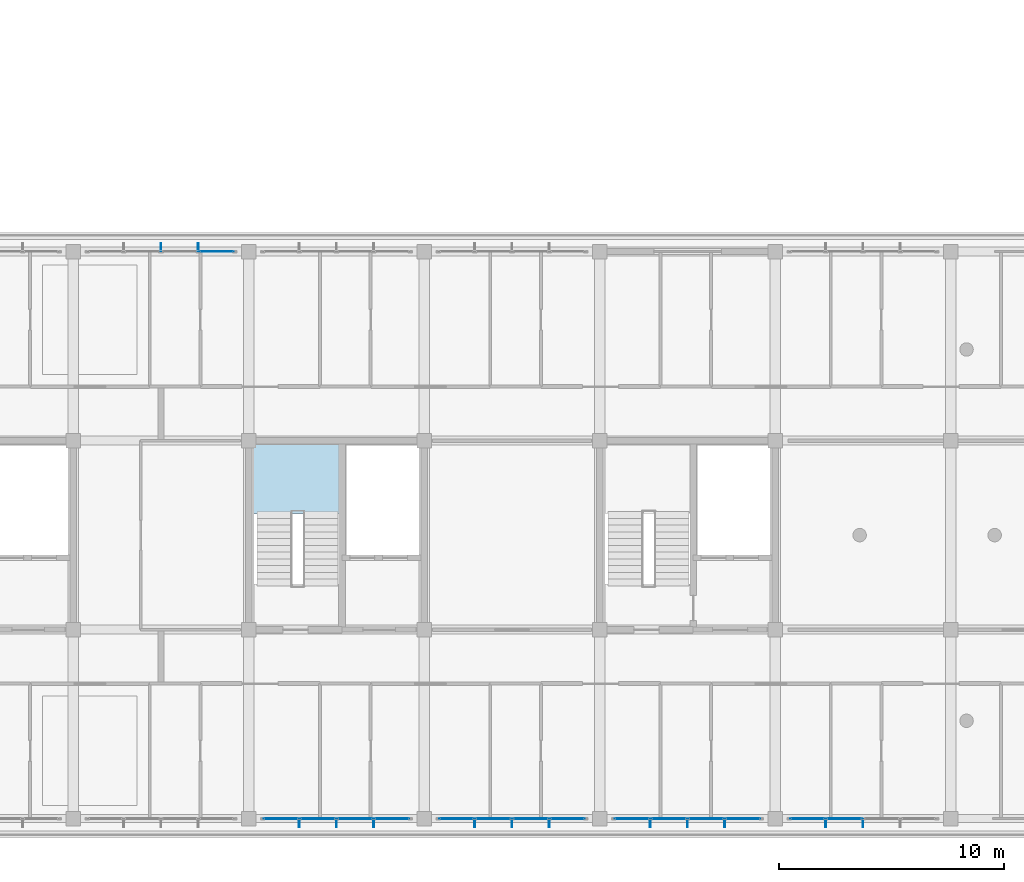
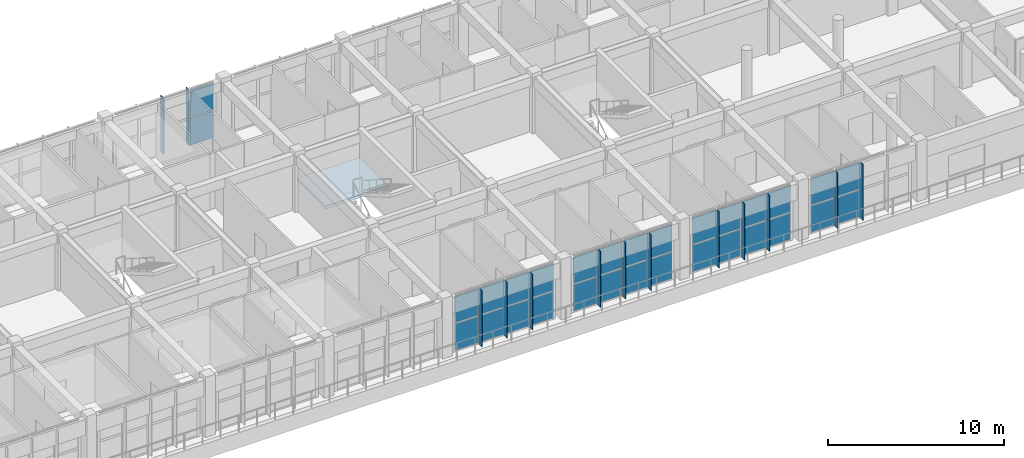
# One storey, part 46 of 63: 43 plates, 1 slab, 6 elements without a shape of their own.
"""IFC4 building model written with IfcOpenShell, lengths in metres."""

from ifc_helpers import new_model, si_unit, direction, frame, origin, origin_2d, place, context, subcontext, project, spatial, polyline, rectangle, outline, extrude, material, layer, layer_set, type_object, element, aggregate, save


model = new_model("IFC4")

# Units and contexts
model_context = context("Model", 3, precision=1e-05, world=origin(), true_north=direction((0.0, 1.0)))
body_context = subcontext(model_context, "Body", "Model", "MODEL_VIEW")
ifc_project = project(units=[si_unit("LENGTHUNIT", "METRE"), si_unit("AREAUNIT", "SQUARE_METRE"), si_unit("VOLUMEUNIT", "CUBIC_METRE"), si_unit("PLANEANGLEUNIT", "RADIAN"), si_unit("MASSUNIT", "GRAM", prefix="KILO")], contexts=[model_context])

# Site, building, storey
site_placement = place(None, origin())
site = spatial("IfcSite", under=ifc_project, at=site_placement, CompositionType="ELEMENT")
building_placement = place(site_placement, origin())
building = spatial("IfcBuilding", under=site, at=building_placement, Name="Zizhar Promenade General Hospital", CompositionType="ELEMENT")
storey_placement = place(building_placement, frame((0.0, 0.0, 18.0)))
storey = spatial("IfcBuildingStorey", under=building, at=storey_placement, Name="L04", CompositionType="ELEMENT", Elevation=18.0)

# Curtain wall, plates
ifc_material_1 = material(Name="Anodised aluminium 6063-T6 and low-E glass", Category="aluminium")
ifc_layer_1 = layer(ifc_material_1, 0.159912109375)
ifc_layer_set_1 = layer_set([ifc_layer_1], Name="Anodised aluminium 6063-T6 and low-E glass")
curtain_wall_type = type_object("IfcCurtainWallType", Name="CW-WARD-RIB", PredefinedType="NOTDEFINED", material=ifc_layer_set_1)
curtain_wall_1_placement = place(storey_placement, origin())
curtain_wall_1 = element("IfcCurtainWall", 1, at=curtain_wall_1_placement, inside=storey, type_object=curtain_wall_type, Name="Ward Ribbon Curtain Wall L04-8-6", PredefinedType="NOTDEFINED")
ifc_material_2 = material(Name="Low-E solar-control glass", Category="glass")
ifc_layer_2 = layer(ifc_material_2, 0.031982421875)
ifc_layer_set_2 = layer_set([ifc_layer_2], Name="Low-E solar-control glass")
plate_type_1 = type_object("IfcPlateType", Name="CWP-GLZ-32", PredefinedType="CURTAIN_PANEL", material=ifc_layer_set_2)
plate_1_placement = place(storey_placement, frame((76.570068359375, 25.199951171875, 0.06005859375), z_axis=(0.0, 0.0, 1.0), x_axis=(1.0, 0.0, 0.0)))
plate_1 = element("IfcPlate", 2, at=plate_1_placement, type_object=plate_type_1, Name="CW-13 panel 4.1", PredefinedType="CURTAIN_PANEL", context=body_context, shape_type="SweptSolid", body=[
    extrude(rectangle(XDim=1.5400390625, YDim=0.031982421875, at=origin_2d()), origin(), (0.0, 0.0, 1.0), 1.860107421875),
])
plate_2_placement = place(storey_placement, frame((76.570068359375, 25.199951171875, 1.97998046875), z_axis=(0.0, 0.0, 1.0), x_axis=(1.0, 0.0, 0.0)))
plate_2 = element("IfcPlate", 3, at=plate_2_placement, type_object=plate_type_1, Name="CW-13 panel 4.2", PredefinedType="CURTAIN_PANEL", context=body_context, shape_type="SweptSolid", body=[
    extrude(rectangle(XDim=1.5400390625, YDim=0.031982421875, at=origin_2d()), origin(), (0.0, 0.0, 1.0), 1.860107421875),
])
aggregate(curtain_wall_1, [plate_1, plate_2])

curtain_wall_2_placement = place(storey_placement, origin())
curtain_wall_2 = element("IfcCurtainWall", 4, at=curtain_wall_2_placement, inside=storey, type_object=curtain_wall_type, Name="Ward Ribbon Curtain Wall L04-17-1", PredefinedType="NOTDEFINED")
plate_3_placement = place(storey_placement, frame((104.469970703125, 0.0, 0.06005859375), z_axis=(0.0, 0.0, 1.0), x_axis=(-1.0, 0.0, 0.0)))
plate_3 = element("IfcPlate", 5, at=plate_3_placement, type_object=plate_type_1, Name="CW-13 panel 3.1", PredefinedType="CURTAIN_PANEL", context=body_context, shape_type="SweptSolid", body=[
    extrude(rectangle(XDim=1.580078125, YDim=0.031982421875, at=origin_2d()), origin(), (0.0, 0.0, 1.0), 1.860107421875),
])
plate_4_placement = place(storey_placement, frame((104.469970703125, 0.0, 1.97998046875), z_axis=(0.0, 0.0, 1.0), x_axis=(-1.0, 0.0, 0.0)))
plate_4 = element("IfcPlate", 6, at=plate_4_placement, type_object=plate_type_1, Name="CW-13 panel 3.2", PredefinedType="CURTAIN_PANEL", context=body_context, shape_type="SweptSolid", body=[
    extrude(rectangle(XDim=1.580078125, YDim=0.031982421875, at=origin_2d()), origin(), (0.0, 0.0, 1.0), 1.860107421875),
])
plate_5_placement = place(storey_placement, frame((102.830078125, 0.0, 0.06005859375), z_axis=(0.0, 0.0, 1.0), x_axis=(-1.0, 0.0, 0.0)))
plate_5 = element("IfcPlate", 7, at=plate_5_placement, type_object=plate_type_1, Name="CW-13 panel 4.1", PredefinedType="CURTAIN_PANEL", context=body_context, shape_type="SweptSolid", body=[
    extrude(rectangle(XDim=1.5400390625, YDim=0.031982421875, at=origin_2d()), origin(), (0.0, 0.0, 1.0), 1.860107421875),
])
plate_6_placement = place(storey_placement, frame((102.830078125, 0.0, 1.97998046875), z_axis=(0.0, 0.0, 1.0), x_axis=(-1.0, 0.0, 0.0)))
plate_6 = element("IfcPlate", 8, at=plate_6_placement, type_object=plate_type_1, Name="CW-13 panel 4.2", PredefinedType="CURTAIN_PANEL", context=body_context, shape_type="SweptSolid", body=[
    extrude(rectangle(XDim=1.5400390625, YDim=0.031982421875, at=origin_2d()), origin(), (0.0, 0.0, 1.0), 1.860107421875),
])
aggregate(curtain_wall_2, [plate_3, plate_4, plate_5, plate_6])

curtain_wall_3_placement = place(storey_placement, origin())
curtain_wall_3 = element("IfcCurtainWall", 9, at=curtain_wall_3_placement, inside=storey, type_object=curtain_wall_type, Name="Ward Ribbon Curtain Wall L04-17-2", PredefinedType="NOTDEFINED")
plate_7_placement = place(storey_placement, frame((99.969970703125, 0.0, 0.06005859375), z_axis=(0.0, 0.0, 1.0), x_axis=(-1.0, 0.0, 0.0)))
plate_7 = element("IfcPlate", 10, at=plate_7_placement, type_object=plate_type_1, Name="CW-13 panel 1.1", PredefinedType="CURTAIN_PANEL", context=body_context, shape_type="SweptSolid", body=[
    extrude(rectangle(XDim=1.5400390625, YDim=0.031982421875, at=origin_2d()), origin(), (0.0, 0.0, 1.0), 1.860107421875),
])
plate_8_placement = place(storey_placement, frame((99.969970703125, 0.0, 1.97998046875), z_axis=(0.0, 0.0, 1.0), x_axis=(-1.0, 0.0, 0.0)))
plate_8 = element("IfcPlate", 11, at=plate_8_placement, type_object=plate_type_1, Name="CW-13 panel 1.2", PredefinedType="CURTAIN_PANEL", context=body_context, shape_type="SweptSolid", body=[
    extrude(rectangle(XDim=1.5400390625, YDim=0.031982421875, at=origin_2d()), origin(), (0.0, 0.0, 1.0), 1.860107421875),
])
plate_9_placement = place(storey_placement, frame((98.330078125, 0.0, 0.06005859375), z_axis=(0.0, 0.0, 1.0), x_axis=(-1.0, 0.0, 0.0)))
plate_9 = element("IfcPlate", 12, at=plate_9_placement, type_object=plate_type_1, Name="CW-13 panel 2.1", PredefinedType="CURTAIN_PANEL", context=body_context, shape_type="SweptSolid", body=[
    extrude(rectangle(XDim=1.580078125, YDim=0.031982421875, at=origin_2d()), origin(), (0.0, 0.0, 1.0), 1.860107421875),
])
plate_10_placement = place(storey_placement, frame((98.330078125, 0.0, 1.97998046875), z_axis=(0.0, 0.0, 1.0), x_axis=(-1.0, 0.0, 0.0)))
plate_10 = element("IfcPlate", 13, at=plate_10_placement, type_object=plate_type_1, Name="CW-13 panel 2.2", PredefinedType="CURTAIN_PANEL", context=body_context, shape_type="SweptSolid", body=[
    extrude(rectangle(XDim=1.580078125, YDim=0.031982421875, at=origin_2d()), origin(), (0.0, 0.0, 1.0), 1.860107421875),
])
plate_11_placement = place(storey_placement, frame((96.669921875, 0.0, 0.06005859375), z_axis=(0.0, 0.0, 1.0), x_axis=(-1.0, 0.0, 0.0)))
plate_11 = element("IfcPlate", 14, at=plate_11_placement, type_object=plate_type_1, Name="CW-13 panel 3.1", PredefinedType="CURTAIN_PANEL", context=body_context, shape_type="SweptSolid", body=[
    extrude(rectangle(XDim=1.580078125, YDim=0.031982421875, at=origin_2d()), origin(), (0.0, 0.0, 1.0), 1.860107421875),
])
plate_12_placement = place(storey_placement, frame((96.669921875, 0.0, 1.97998046875), z_axis=(0.0, 0.0, 1.0), x_axis=(-1.0, 0.0, 0.0)))
plate_12 = element("IfcPlate", 15, at=plate_12_placement, type_object=plate_type_1, Name="CW-13 panel 3.2", PredefinedType="CURTAIN_PANEL", context=body_context, shape_type="SweptSolid", body=[
    extrude(rectangle(XDim=1.580078125, YDim=0.031982421875, at=origin_2d()), origin(), (0.0, 0.0, 1.0), 1.860107421875),
])
plate_13_placement = place(storey_placement, frame((95.030029296875, 0.0, 0.06005859375), z_axis=(0.0, 0.0, 1.0), x_axis=(-1.0, 0.0, 0.0)))
plate_13 = element("IfcPlate", 16, at=plate_13_placement, type_object=plate_type_1, Name="CW-13 panel 4.1", PredefinedType="CURTAIN_PANEL", context=body_context, shape_type="SweptSolid", body=[
    extrude(rectangle(XDim=1.5400390625, YDim=0.031982421875, at=origin_2d()), origin(), (0.0, 0.0, 1.0), 1.860107421875),
])
plate_14_placement = place(storey_placement, frame((95.030029296875, 0.0, 1.97998046875), z_axis=(0.0, 0.0, 1.0), x_axis=(-1.0, 0.0, 0.0)))
plate_14 = element("IfcPlate", 17, at=plate_14_placement, type_object=plate_type_1, Name="CW-13 panel 4.2", PredefinedType="CURTAIN_PANEL", context=body_context, shape_type="SweptSolid", body=[
    extrude(rectangle(XDim=1.5400390625, YDim=0.031982421875, at=origin_2d()), origin(), (0.0, 0.0, 1.0), 1.860107421875),
])
aggregate(curtain_wall_3, [plate_7, plate_8, plate_9, plate_10, plate_11, plate_12, plate_13, plate_14])

curtain_wall_4_placement = place(storey_placement, origin())
curtain_wall_4 = element("IfcCurtainWall", 18, at=curtain_wall_4_placement, inside=storey, type_object=curtain_wall_type, Name="Ward Ribbon Curtain Wall L04-17-3", PredefinedType="NOTDEFINED")
plate_15_placement = place(storey_placement, frame((92.169921875, 0.0, 0.06005859375), z_axis=(0.0, 0.0, 1.0), x_axis=(-1.0, 0.0, 0.0)))
plate_15 = element("IfcPlate", 19, at=plate_15_placement, type_object=plate_type_1, Name="CW-13 panel 1.1", PredefinedType="CURTAIN_PANEL", context=body_context, shape_type="SweptSolid", body=[
    extrude(rectangle(XDim=1.5400390625, YDim=0.031982421875, at=origin_2d()), origin(), (0.0, 0.0, 1.0), 1.860107421875),
])
plate_16_placement = place(storey_placement, frame((92.169921875, 0.0, 1.97998046875), z_axis=(0.0, 0.0, 1.0), x_axis=(-1.0, 0.0, 0.0)))
plate_16 = element("IfcPlate", 20, at=plate_16_placement, type_object=plate_type_1, Name="CW-13 panel 1.2", PredefinedType="CURTAIN_PANEL", context=body_context, shape_type="SweptSolid", body=[
    extrude(rectangle(XDim=1.5400390625, YDim=0.031982421875, at=origin_2d()), origin(), (0.0, 0.0, 1.0), 1.860107421875),
])
plate_17_placement = place(storey_placement, frame((90.530029296875, 0.0, 0.06005859375), z_axis=(0.0, 0.0, 1.0), x_axis=(-1.0, 0.0, 0.0)))
plate_17 = element("IfcPlate", 21, at=plate_17_placement, type_object=plate_type_1, Name="CW-13 panel 2.1", PredefinedType="CURTAIN_PANEL", context=body_context, shape_type="SweptSolid", body=[
    extrude(rectangle(XDim=1.580078125, YDim=0.031982421875, at=origin_2d()), origin(), (0.0, 0.0, 1.0), 1.860107421875),
])
plate_18_placement = place(storey_placement, frame((90.530029296875, 0.0, 1.97998046875), z_axis=(0.0, 0.0, 1.0), x_axis=(-1.0, 0.0, 0.0)))
plate_18 = element("IfcPlate", 22, at=plate_18_placement, type_object=plate_type_1, Name="CW-13 panel 2.2", PredefinedType="CURTAIN_PANEL", context=body_context, shape_type="SweptSolid", body=[
    extrude(rectangle(XDim=1.580078125, YDim=0.031982421875, at=origin_2d()), origin(), (0.0, 0.0, 1.0), 1.860107421875),
])
plate_19_placement = place(storey_placement, frame((88.8701171875, 0.0, 0.06005859375), z_axis=(0.0, 0.0, 1.0), x_axis=(-1.0, 0.0, 0.0)))
plate_19 = element("IfcPlate", 23, at=plate_19_placement, type_object=plate_type_1, Name="CW-13 panel 3.1", PredefinedType="CURTAIN_PANEL", context=body_context, shape_type="SweptSolid", body=[
    extrude(rectangle(XDim=1.580078125, YDim=0.031982421875, at=origin_2d()), origin(), (0.0, 0.0, 1.0), 1.860107421875),
])
plate_20_placement = place(storey_placement, frame((88.8701171875, 0.0, 1.97998046875), z_axis=(0.0, 0.0, 1.0), x_axis=(-1.0, 0.0, 0.0)))
plate_20 = element("IfcPlate", 24, at=plate_20_placement, type_object=plate_type_1, Name="CW-13 panel 3.2", PredefinedType="CURTAIN_PANEL", context=body_context, shape_type="SweptSolid", body=[
    extrude(rectangle(XDim=1.580078125, YDim=0.031982421875, at=origin_2d()), origin(), (0.0, 0.0, 1.0), 1.860107421875),
])
plate_21_placement = place(storey_placement, frame((87.22998046875, 0.0, 0.06005859375), z_axis=(0.0, 0.0, 1.0), x_axis=(-1.0, 0.0, 0.0)))
plate_21 = element("IfcPlate", 25, at=plate_21_placement, type_object=plate_type_1, Name="CW-13 panel 4.1", PredefinedType="CURTAIN_PANEL", context=body_context, shape_type="SweptSolid", body=[
    extrude(rectangle(XDim=1.5400390625, YDim=0.031982421875, at=origin_2d()), origin(), (0.0, 0.0, 1.0), 1.860107421875),
])
plate_22_placement = place(storey_placement, frame((87.22998046875, 0.0, 1.97998046875), z_axis=(0.0, 0.0, 1.0), x_axis=(-1.0, 0.0, 0.0)))
plate_22 = element("IfcPlate", 26, at=plate_22_placement, type_object=plate_type_1, Name="CW-13 panel 4.2", PredefinedType="CURTAIN_PANEL", context=body_context, shape_type="SweptSolid", body=[
    extrude(rectangle(XDim=1.5400390625, YDim=0.031982421875, at=origin_2d()), origin(), (0.0, 0.0, 1.0), 1.860107421875),
])
aggregate(curtain_wall_4, [plate_15, plate_16, plate_17, plate_18, plate_19, plate_20, plate_21, plate_22])

curtain_wall_5_placement = place(storey_placement, origin())
curtain_wall_5 = element("IfcCurtainWall", 27, at=curtain_wall_5_placement, inside=storey, type_object=curtain_wall_type, Name="Ward Ribbon Curtain Wall L04-17-4", PredefinedType="NOTDEFINED")
plate_23_placement = place(storey_placement, frame((84.3701171875, 0.0, 0.06005859375), z_axis=(0.0, 0.0, 1.0), x_axis=(-1.0, 0.0, 0.0)))
plate_23 = element("IfcPlate", 28, at=plate_23_placement, type_object=plate_type_1, Name="CW-13 panel 1.1", PredefinedType="CURTAIN_PANEL", context=body_context, shape_type="SweptSolid", body=[
    extrude(rectangle(XDim=1.5400390625, YDim=0.031982421875, at=origin_2d()), origin(), (0.0, 0.0, 1.0), 1.860107421875),
])
plate_24_placement = place(storey_placement, frame((84.3701171875, 0.0, 1.97998046875), z_axis=(0.0, 0.0, 1.0), x_axis=(-1.0, 0.0, 0.0)))
plate_24 = element("IfcPlate", 29, at=plate_24_placement, type_object=plate_type_1, Name="CW-13 panel 1.2", PredefinedType="CURTAIN_PANEL", context=body_context, shape_type="SweptSolid", body=[
    extrude(rectangle(XDim=1.5400390625, YDim=0.031982421875, at=origin_2d()), origin(), (0.0, 0.0, 1.0), 1.860107421875),
])
plate_25_placement = place(storey_placement, frame((82.72998046875, 0.0, 0.06005859375), z_axis=(0.0, 0.0, 1.0), x_axis=(-1.0, 0.0, 0.0)))
plate_25 = element("IfcPlate", 30, at=plate_25_placement, type_object=plate_type_1, Name="CW-13 panel 2.1", PredefinedType="CURTAIN_PANEL", context=body_context, shape_type="SweptSolid", body=[
    extrude(rectangle(XDim=1.580078125, YDim=0.031982421875, at=origin_2d()), origin(), (0.0, 0.0, 1.0), 1.860107421875),
])
plate_26_placement = place(storey_placement, frame((82.72998046875, 0.0, 1.97998046875), z_axis=(0.0, 0.0, 1.0), x_axis=(-1.0, 0.0, 0.0)))
plate_26 = element("IfcPlate", 31, at=plate_26_placement, type_object=plate_type_1, Name="CW-13 panel 2.2", PredefinedType="CURTAIN_PANEL", context=body_context, shape_type="SweptSolid", body=[
    extrude(rectangle(XDim=1.580078125, YDim=0.031982421875, at=origin_2d()), origin(), (0.0, 0.0, 1.0), 1.860107421875),
])
plate_27_placement = place(storey_placement, frame((81.070068359375, 0.0, 0.06005859375), z_axis=(0.0, 0.0, 1.0), x_axis=(-1.0, 0.0, 0.0)))
plate_27 = element("IfcPlate", 32, at=plate_27_placement, type_object=plate_type_1, Name="CW-13 panel 3.1", PredefinedType="CURTAIN_PANEL", context=body_context, shape_type="SweptSolid", body=[
    extrude(rectangle(XDim=1.580078125, YDim=0.031982421875, at=origin_2d()), origin(), (0.0, 0.0, 1.0), 1.860107421875),
])
plate_28_placement = place(storey_placement, frame((81.070068359375, 0.0, 1.97998046875), z_axis=(0.0, 0.0, 1.0), x_axis=(-1.0, 0.0, 0.0)))
plate_28 = element("IfcPlate", 33, at=plate_28_placement, type_object=plate_type_1, Name="CW-13 panel 3.2", PredefinedType="CURTAIN_PANEL", context=body_context, shape_type="SweptSolid", body=[
    extrude(rectangle(XDim=1.580078125, YDim=0.031982421875, at=origin_2d()), origin(), (0.0, 0.0, 1.0), 1.860107421875),
])
plate_29_placement = place(storey_placement, frame((79.429931640625, 0.0, 0.06005859375), z_axis=(0.0, 0.0, 1.0), x_axis=(-1.0, 0.0, 0.0)))
plate_29 = element("IfcPlate", 34, at=plate_29_placement, type_object=plate_type_1, Name="CW-13 panel 4.1", PredefinedType="CURTAIN_PANEL", context=body_context, shape_type="SweptSolid", body=[
    extrude(rectangle(XDim=1.5400390625, YDim=0.031982421875, at=origin_2d()), origin(), (0.0, 0.0, 1.0), 1.860107421875),
])
plate_30_placement = place(storey_placement, frame((79.429931640625, 0.0, 1.97998046875), z_axis=(0.0, 0.0, 1.0), x_axis=(-1.0, 0.0, 0.0)))
plate_30 = element("IfcPlate", 35, at=plate_30_placement, type_object=plate_type_1, Name="CW-13 panel 4.2", PredefinedType="CURTAIN_PANEL", context=body_context, shape_type="SweptSolid", body=[
    extrude(rectangle(XDim=1.5400390625, YDim=0.031982421875, at=origin_2d()), origin(), (0.0, 0.0, 1.0), 1.860107421875),
])
aggregate(curtain_wall_5, [plate_23, plate_24, plate_25, plate_26, plate_27, plate_28, plate_29, plate_30])

# Plates
ifc_material_3 = material(Name="Anodised aluminium 6063-T6", Category="aluminium")
ifc_layer_3 = layer(ifc_material_3, 0.035888671875)
ifc_layer_set_3 = layer_set([ifc_layer_3], Name="Anodised aluminium 6063-T6")
plate_type_2 = type_object("IfcPlateType", Name="FIN-ALU-380", PredefinedType="USERDEFINED", material=ifc_layer_set_3)
plate_31_placement = place(storey_placement, origin())
element("IfcPlate", 36, at=plate_31_placement, inside=storey, type_object=plate_type_2, Name="Ward Ribbon Curtain Wall L04-8-6 Solar Fin 2", ObjectType="SOLAR_SHADE", PredefinedType="USERDEFINED", context=body_context, shape_type="SweptSolid", body=[
    extrude(outline(polyline([(74.08203125, 25.199951171875), (74.117919921875, 25.199951171875), (74.117919921875, 25.580078125), (74.08203125, 25.580078125), (74.08203125, 25.199951171875)])), origin(), (0.0, 0.0, 1.0), 3.89990234375),
])
plate_32_placement = place(storey_placement, origin())
element("IfcPlate", 37, at=plate_32_placement, inside=storey, type_object=plate_type_2, Name="Ward Ribbon Curtain Wall L04-8-6 Solar Fin 3", ObjectType="SOLAR_SHADE", PredefinedType="USERDEFINED", context=body_context, shape_type="SweptSolid", body=[
    extrude(outline(polyline([(75.741943359375, 25.199951171875), (75.778076171875, 25.199951171875), (75.778076171875, 25.580078125), (75.741943359375, 25.580078125), (75.741943359375, 25.199951171875)])), origin(), (0.0, 0.0, 1.0), 3.89990234375),
])
plate_33_placement = place(storey_placement, origin())
element("IfcPlate", 38, at=plate_33_placement, inside=storey, type_object=plate_type_2, Name="Ward Ribbon Curtain Wall L04-17-1 Solar Fin 2", ObjectType="SOLAR_SHADE", PredefinedType="USERDEFINED", context=body_context, shape_type="SweptSolid", body=[
    extrude(outline(polyline([(105.318115234375, 0.0), (105.281982421875, 0.0), (105.281982421875, -0.3798828125), (105.318115234375, -0.3798828125), (105.318115234375, 0.0)])), origin(), (0.0, 0.0, 1.0), 3.89990234375),
])
plate_34_placement = place(storey_placement, origin())
element("IfcPlate", 39, at=plate_34_placement, inside=storey, type_object=plate_type_2, Name="Ward Ribbon Curtain Wall L04-17-1 Solar Fin 3", ObjectType="SOLAR_SHADE", PredefinedType="USERDEFINED", context=body_context, shape_type="SweptSolid", body=[
    extrude(outline(polyline([(103.657958984375, 0.0), (103.6220703125, 0.0), (103.6220703125, -0.3798828125), (103.657958984375, -0.3798828125), (103.657958984375, 0.0)])), origin(), (0.0, 0.0, 1.0), 3.89990234375),
])
plate_35_placement = place(storey_placement, origin())
element("IfcPlate", 40, at=plate_35_placement, inside=storey, type_object=plate_type_2, Name="Ward Ribbon Curtain Wall L04-17-2 Solar Fin 1", ObjectType="SOLAR_SHADE", PredefinedType="USERDEFINED", context=body_context, shape_type="SweptSolid", body=[
    extrude(outline(polyline([(99.177978515625, 0.0), (99.14208984375, 0.0), (99.14208984375, -0.3798828125), (99.177978515625, -0.3798828125), (99.177978515625, 0.0)])), origin(), (0.0, 0.0, 1.0), 3.89990234375),
])
plate_36_placement = place(storey_placement, origin())
element("IfcPlate", 41, at=plate_36_placement, inside=storey, type_object=plate_type_2, Name="Ward Ribbon Curtain Wall L04-17-2 Solar Fin 2", ObjectType="SOLAR_SHADE", PredefinedType="USERDEFINED", context=body_context, shape_type="SweptSolid", body=[
    extrude(outline(polyline([(97.51806640625, 0.0), (97.48193359375, 0.0), (97.48193359375, -0.3798828125), (97.51806640625, -0.3798828125), (97.51806640625, 0.0)])), origin(), (0.0, 0.0, 1.0), 3.89990234375),
])
plate_37_placement = place(storey_placement, origin())
element("IfcPlate", 42, at=plate_37_placement, inside=storey, type_object=plate_type_2, Name="Ward Ribbon Curtain Wall L04-17-2 Solar Fin 3", ObjectType="SOLAR_SHADE", PredefinedType="USERDEFINED", context=body_context, shape_type="SweptSolid", body=[
    extrude(outline(polyline([(95.85791015625, 0.0), (95.822021484375, 0.0), (95.822021484375, -0.3798828125), (95.85791015625, -0.3798828125), (95.85791015625, 0.0)])), origin(), (0.0, 0.0, 1.0), 3.89990234375),
])
plate_38_placement = place(storey_placement, origin())
element("IfcPlate", 43, at=plate_38_placement, inside=storey, type_object=plate_type_2, Name="Ward Ribbon Curtain Wall L04-17-3 Solar Fin 1", ObjectType="SOLAR_SHADE", PredefinedType="USERDEFINED", context=body_context, shape_type="SweptSolid", body=[
    extrude(outline(polyline([(91.3779296875, 0.0), (91.342041015625, 0.0), (91.342041015625, -0.3798828125), (91.3779296875, -0.3798828125), (91.3779296875, 0.0)])), origin(), (0.0, 0.0, 1.0), 3.89990234375),
])
plate_39_placement = place(storey_placement, origin())
element("IfcPlate", 44, at=plate_39_placement, inside=storey, type_object=plate_type_2, Name="Ward Ribbon Curtain Wall L04-17-3 Solar Fin 2", ObjectType="SOLAR_SHADE", PredefinedType="USERDEFINED", context=body_context, shape_type="SweptSolid", body=[
    extrude(outline(polyline([(89.718017578125, 0.0), (89.681884765625, 0.0), (89.681884765625, -0.3798828125), (89.718017578125, -0.3798828125), (89.718017578125, 0.0)])), origin(), (0.0, 0.0, 1.0), 3.89990234375),
])
plate_40_placement = place(storey_placement, origin())
element("IfcPlate", 45, at=plate_40_placement, inside=storey, type_object=plate_type_2, Name="Ward Ribbon Curtain Wall L04-17-3 Solar Fin 3", ObjectType="SOLAR_SHADE", PredefinedType="USERDEFINED", context=body_context, shape_type="SweptSolid", body=[
    extrude(outline(polyline([(88.05810546875, 0.0), (88.02197265625, 0.0), (88.02197265625, -0.3798828125), (88.05810546875, -0.3798828125), (88.05810546875, 0.0)])), origin(), (0.0, 0.0, 1.0), 3.89990234375),
])
plate_41_placement = place(storey_placement, origin())
element("IfcPlate", 46, at=plate_41_placement, inside=storey, type_object=plate_type_2, Name="Ward Ribbon Curtain Wall L04-17-4 Solar Fin 1", ObjectType="SOLAR_SHADE", PredefinedType="USERDEFINED", context=body_context, shape_type="SweptSolid", body=[
    extrude(outline(polyline([(83.577880859375, 0.0), (83.5419921875, 0.0), (83.5419921875, -0.3798828125), (83.577880859375, -0.3798828125), (83.577880859375, 0.0)])), origin(), (0.0, 0.0, 1.0), 3.89990234375),
])
plate_42_placement = place(storey_placement, origin())
element("IfcPlate", 47, at=plate_42_placement, inside=storey, type_object=plate_type_2, Name="Ward Ribbon Curtain Wall L04-17-4 Solar Fin 2", ObjectType="SOLAR_SHADE", PredefinedType="USERDEFINED", context=body_context, shape_type="SweptSolid", body=[
    extrude(outline(polyline([(81.91796875, 0.0), (81.882080078125, 0.0), (81.882080078125, -0.3798828125), (81.91796875, -0.3798828125), (81.91796875, 0.0)])), origin(), (0.0, 0.0, 1.0), 3.89990234375),
])
plate_43_placement = place(storey_placement, origin())
element("IfcPlate", 48, at=plate_43_placement, inside=storey, type_object=plate_type_2, Name="Ward Ribbon Curtain Wall L04-17-4 Solar Fin 3", ObjectType="SOLAR_SHADE", PredefinedType="USERDEFINED", context=body_context, shape_type="SweptSolid", body=[
    extrude(outline(polyline([(80.258056640625, 0.0), (80.221923828125, 0.0), (80.221923828125, -0.3798828125), (80.258056640625, -0.3798828125), (80.258056640625, 0.0)])), origin(), (0.0, 0.0, 1.0), 3.89990234375),
])

# Stair, slab
ifc_material_4 = material(Name="Concrete C35/45", Category="concrete")
stair_type = type_object("IfcStairType", Name="STR-DOG-420", PredefinedType="HALF_TURN_STAIR", material=ifc_material_4)
stair_placement = place(storey_placement, origin())
stair = element("IfcStair", 49, at=stair_placement, inside=storey, type_object=stair_type, Name="Exit Stair ST-04 (L04 to L05)", PredefinedType="HALF_TURN_STAIR")
ifc_material_5 = material(Name="Concrete C35/45", Category="concrete")
ifc_layer_4 = layer(ifc_material_5, 0.2099609375)
ifc_layer_set_4 = layer_set([ifc_layer_4], Name="Concrete C35/45")
slab_type = type_object("IfcSlabType", Name="SLB-LAND-420", PredefinedType="LANDING", material=ifc_layer_set_4)
slab_placement = place(storey_placement, frame((0.0, 0.0, 1.889892578125)))
slab = element("IfcSlab", 50, at=slab_placement, type_object=slab_type, Name="ST-04C landing 1", PredefinedType="LANDING", context=body_context, shape_type="SweptSolid", body=[
    extrude(outline(polyline([(78.0, 13.570068359375), (82.14990234375, 13.570068359375), (82.14990234375, 16.800048828125), (78.0, 16.800048828125), (78.0, 13.570068359375)])), origin(), (0.0, 0.0, 1.0), 0.210205078125),
])
aggregate(stair, [slab])

save(model, "model.ifc")
